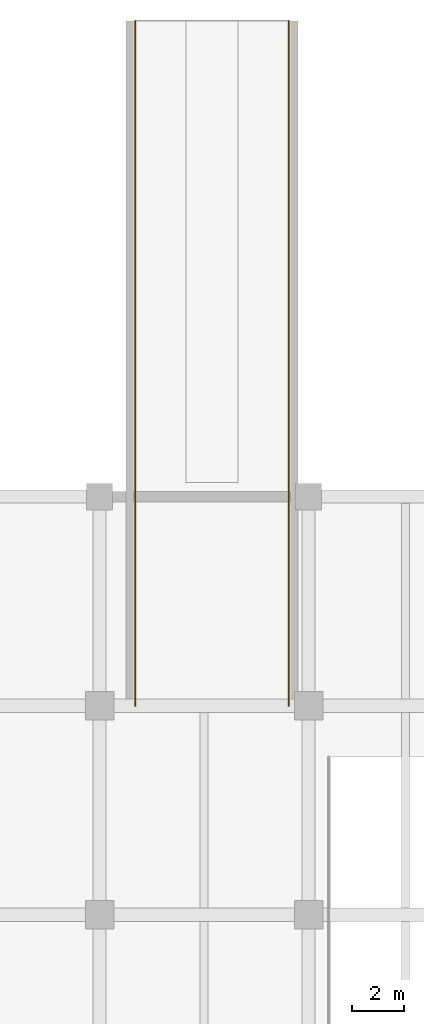
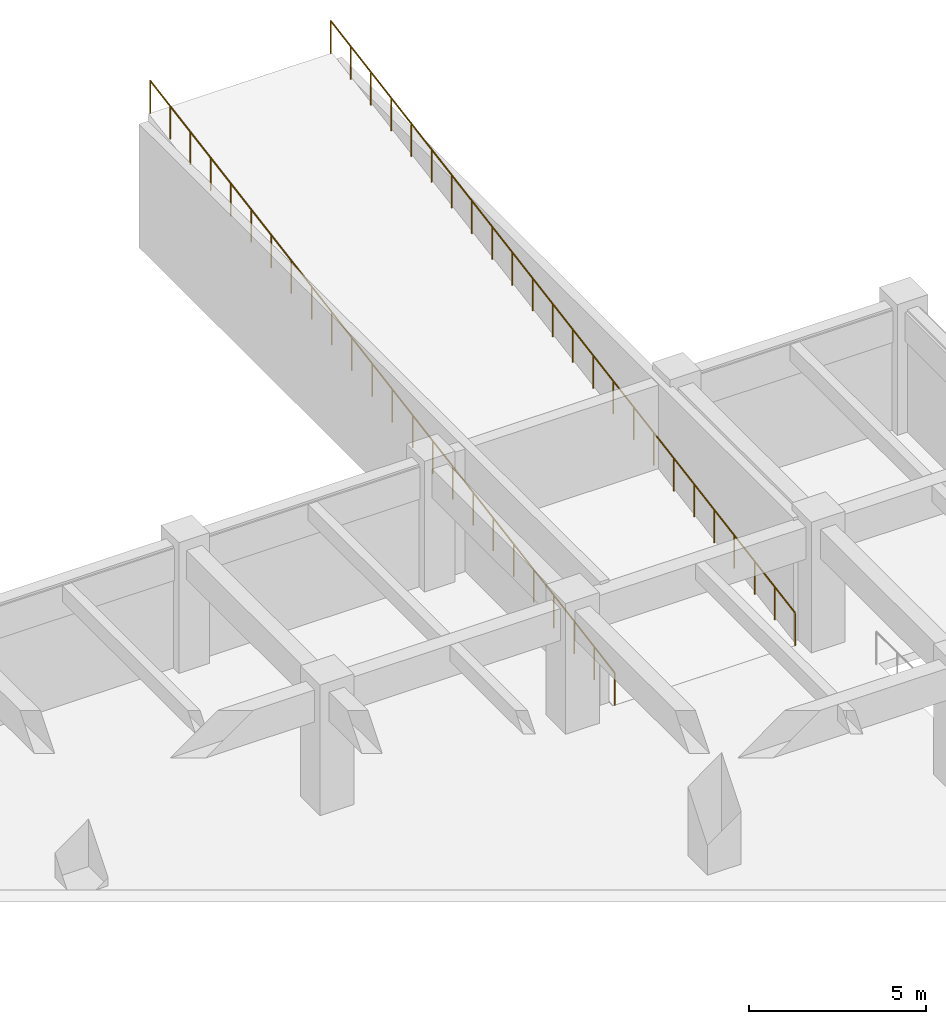
# One storey, part 16 of 16: 2 railings.
"""IFC4 building model written with IfcOpenShell, lengths in metres."""

from ifc_helpers import new_model, si_unit, direction, frame, origin, origin_2d, place, context, subcontext, project, spatial, circle, extrude, material, type_object, element, save


model = new_model("IFC4")

# Units and contexts
model_context = context("Model", 3, precision=1e-05, world=origin(), true_north=direction((0.0, 1.0)))
body_context = subcontext(model_context, "Body", "Model", "MODEL_VIEW")
ifc_project = project(units=[si_unit("LENGTHUNIT", "METRE"), si_unit("AREAUNIT", "SQUARE_METRE"), si_unit("VOLUMEUNIT", "CUBIC_METRE"), si_unit("PLANEANGLEUNIT", "RADIAN"), si_unit("MASSUNIT", "GRAM", prefix="KILO")], contexts=[model_context])

# Site, building, storey
site_placement = place(None, origin())
site = spatial("IfcSite", under=ifc_project, at=site_placement, CompositionType="ELEMENT")
building_placement = place(site_placement, origin())
building = spatial("IfcBuilding", under=site, at=building_placement, Name="Canggui Botanical Conservatory", CompositionType="ELEMENT")
storey_placement = place(building_placement, frame((0.0, 0.0, -4.5)))
storey = spatial("IfcBuildingStorey", under=building, at=storey_placement, Name="B1", CompositionType="ELEMENT", Elevation=-4.5)

# Railings
ifc_material = material(Name="Laminated Safety Glass", Category="glass")
railing_type = type_object("IfcRailingType", Name="RAIL-VOID-1150", PredefinedType="BALUSTRADE", material=ifc_material)
railing_1_placement = place(storey_placement, frame((163.360107421875, 98.0, 0.0)))
element("IfcRailing", 1, at=railing_1_placement, inside=storey, type_object=railing_type, Name="Vehicle Ramp VR-01 Sloping West Kerb Guard", PredefinedType="BALUSTRADE", context=body_context, shape_type="SweptSolid", body=[
    extrude(circle(Radius=0.02392578125, at=origin_2d()), frame((0.0, 0.0, 1.1259765625), z_axis=(0.0, 0.985568456285, 0.169277340411), x_axis=(-1.0, 0.0, 0.0)), (0.0, 0.0, 1.0), 26.58349609375),
    extrude(circle(Radius=0.02099609375, at=origin_2d()), origin(), (0.0, 0.0, 1.0), 1.101806640625),
    extrude(circle(Radius=0.02099609375, at=origin_2d()), frame((0.0, 1.13916015625, 0.195556640625)), (0.0, 0.0, 1.0), 1.101806640625),
    extrude(circle(Radius=0.02099609375, at=origin_2d()), frame((0.0, 2.2783203125, 0.391357421875)), (0.0, 0.0, 1.0), 1.101806640625),
    extrude(circle(Radius=0.02099609375, at=origin_2d()), frame((0.0, 3.41748046875, 0.5869140625)), (0.0, 0.0, 1.0), 1.101806640625),
    extrude(circle(Radius=0.02099609375, at=origin_2d()), frame((0.0, 4.556396484375, 0.78271484375)), (0.0, 0.0, 1.0), 1.101806640625),
    extrude(circle(Radius=0.02099609375, at=origin_2d()), frame((0.0, 5.695556640625, 0.978271484375)), (0.0, 0.0, 1.0), 1.101806640625),
    extrude(circle(Radius=0.02099609375, at=origin_2d()), frame((0.0, 6.834716796875, 1.173828125)), (0.0, 0.0, 1.0), 1.101806640625),
    extrude(circle(Radius=0.02099609375, at=origin_2d()), frame((0.0, 7.973876953125, 1.36962890625)), (0.0, 0.0, 1.0), 1.101806640625),
    extrude(circle(Radius=0.02099609375, at=origin_2d()), frame((0.0, 9.113037109375, 1.565185546875)), (0.0, 0.0, 1.0), 1.101806640625),
    extrude(circle(Radius=0.02099609375, at=origin_2d()), frame((0.0, 10.252197265625, 1.760986328125)), (0.0, 0.0, 1.0), 1.101806640625),
    extrude(circle(Radius=0.02099609375, at=origin_2d()), frame((0.0, 11.391357421875, 1.95654296875)), (0.0, 0.0, 1.0), 1.101806640625),
    extrude(circle(Radius=0.02099609375, at=origin_2d()), frame((0.0, 12.530517578125, 2.152099609375)), (0.0, 0.0, 1.0), 1.101806640625),
    extrude(circle(Radius=0.02099609375, at=origin_2d()), frame((0.0, 13.66943359375, 2.347900390625)), (0.0, 0.0, 1.0), 1.101806640625),
    extrude(circle(Radius=0.02099609375, at=origin_2d()), frame((0.0, 14.80859375, 2.54345703125)), (0.0, 0.0, 1.0), 1.101806640625),
    extrude(circle(Radius=0.02099609375, at=origin_2d()), frame((0.0, 15.94775390625, 2.739013671875)), (0.0, 0.0, 1.0), 1.101806640625),
    extrude(circle(Radius=0.02099609375, at=origin_2d()), frame((0.0, 17.0869140625, 2.934814453125)), (0.0, 0.0, 1.0), 1.101806640625),
    extrude(circle(Radius=0.02099609375, at=origin_2d()), frame((0.0, 18.22607421875, 3.13037109375)), (0.0, 0.0, 1.0), 1.101806640625),
    extrude(circle(Radius=0.02099609375, at=origin_2d()), frame((0.0, 19.365234375, 3.326171875)), (0.0, 0.0, 1.0), 1.101806640625),
    extrude(circle(Radius=0.02099609375, at=origin_2d()), frame((0.0, 20.50439453125, 3.521728515625)), (0.0, 0.0, 1.0), 1.101806640625),
    extrude(circle(Radius=0.02099609375, at=origin_2d()), frame((0.0, 21.6435546875, 3.71728515625)), (0.0, 0.0, 1.0), 1.101806640625),
    extrude(circle(Radius=0.02099609375, at=origin_2d()), frame((0.0, 22.782470703125, 3.9130859375)), (0.0, 0.0, 1.0), 1.101806640625),
    extrude(circle(Radius=0.02099609375, at=origin_2d()), frame((0.0, 23.921630859375, 4.108642578125)), (0.0, 0.0, 1.0), 1.101806640625),
    extrude(circle(Radius=0.02099609375, at=origin_2d()), frame((0.0, 25.060791015625, 4.304443359375)), (0.0, 0.0, 1.0), 1.101806640625),
    extrude(circle(Radius=0.02099609375, at=origin_2d()), frame((0.0, 26.199951171875, 4.5)), (0.0, 0.0, 1.0), 1.101806640625),
])
railing_2_placement = place(storey_placement, frame((169.239990234375, 98.0, 0.0)))
element("IfcRailing", 2, at=railing_2_placement, inside=storey, type_object=railing_type, Name="Vehicle Ramp VR-01 Sloping East Kerb Guard", PredefinedType="BALUSTRADE", context=body_context, shape_type="SweptSolid", body=[
    extrude(circle(Radius=0.02392578125, at=origin_2d()), frame((0.0, 0.0, 1.1259765625), z_axis=(0.0, 0.985568456285, 0.169277340411), x_axis=(-1.0, 0.0, 0.0)), (0.0, 0.0, 1.0), 26.58349609375),
    extrude(circle(Radius=0.02099609375, at=origin_2d()), origin(), (0.0, 0.0, 1.0), 1.101806640625),
    extrude(circle(Radius=0.02099609375, at=origin_2d()), frame((0.0, 1.13916015625, 0.195556640625)), (0.0, 0.0, 1.0), 1.101806640625),
    extrude(circle(Radius=0.02099609375, at=origin_2d()), frame((0.0, 2.2783203125, 0.391357421875)), (0.0, 0.0, 1.0), 1.101806640625),
    extrude(circle(Radius=0.02099609375, at=origin_2d()), frame((0.0, 3.41748046875, 0.5869140625)), (0.0, 0.0, 1.0), 1.101806640625),
    extrude(circle(Radius=0.02099609375, at=origin_2d()), frame((0.0, 4.556396484375, 0.78271484375)), (0.0, 0.0, 1.0), 1.101806640625),
    extrude(circle(Radius=0.02099609375, at=origin_2d()), frame((0.0, 5.695556640625, 0.978271484375)), (0.0, 0.0, 1.0), 1.101806640625),
    extrude(circle(Radius=0.02099609375, at=origin_2d()), frame((0.0, 6.834716796875, 1.173828125)), (0.0, 0.0, 1.0), 1.101806640625),
    extrude(circle(Radius=0.02099609375, at=origin_2d()), frame((0.0, 7.973876953125, 1.36962890625)), (0.0, 0.0, 1.0), 1.101806640625),
    extrude(circle(Radius=0.02099609375, at=origin_2d()), frame((0.0, 9.113037109375, 1.565185546875)), (0.0, 0.0, 1.0), 1.101806640625),
    extrude(circle(Radius=0.02099609375, at=origin_2d()), frame((0.0, 10.252197265625, 1.760986328125)), (0.0, 0.0, 1.0), 1.101806640625),
    extrude(circle(Radius=0.02099609375, at=origin_2d()), frame((0.0, 11.391357421875, 1.95654296875)), (0.0, 0.0, 1.0), 1.101806640625),
    extrude(circle(Radius=0.02099609375, at=origin_2d()), frame((0.0, 12.530517578125, 2.152099609375)), (0.0, 0.0, 1.0), 1.101806640625),
    extrude(circle(Radius=0.02099609375, at=origin_2d()), frame((0.0, 13.66943359375, 2.347900390625)), (0.0, 0.0, 1.0), 1.101806640625),
    extrude(circle(Radius=0.02099609375, at=origin_2d()), frame((0.0, 14.80859375, 2.54345703125)), (0.0, 0.0, 1.0), 1.101806640625),
    extrude(circle(Radius=0.02099609375, at=origin_2d()), frame((0.0, 15.94775390625, 2.739013671875)), (0.0, 0.0, 1.0), 1.101806640625),
    extrude(circle(Radius=0.02099609375, at=origin_2d()), frame((0.0, 17.0869140625, 2.934814453125)), (0.0, 0.0, 1.0), 1.101806640625),
    extrude(circle(Radius=0.02099609375, at=origin_2d()), frame((0.0, 18.22607421875, 3.13037109375)), (0.0, 0.0, 1.0), 1.101806640625),
    extrude(circle(Radius=0.02099609375, at=origin_2d()), frame((0.0, 19.365234375, 3.326171875)), (0.0, 0.0, 1.0), 1.101806640625),
    extrude(circle(Radius=0.02099609375, at=origin_2d()), frame((0.0, 20.50439453125, 3.521728515625)), (0.0, 0.0, 1.0), 1.101806640625),
    extrude(circle(Radius=0.02099609375, at=origin_2d()), frame((0.0, 21.6435546875, 3.71728515625)), (0.0, 0.0, 1.0), 1.101806640625),
    extrude(circle(Radius=0.02099609375, at=origin_2d()), frame((0.0, 22.782470703125, 3.9130859375)), (0.0, 0.0, 1.0), 1.101806640625),
    extrude(circle(Radius=0.02099609375, at=origin_2d()), frame((0.0, 23.921630859375, 4.108642578125)), (0.0, 0.0, 1.0), 1.101806640625),
    extrude(circle(Radius=0.02099609375, at=origin_2d()), frame((0.0, 25.060791015625, 4.304443359375)), (0.0, 0.0, 1.0), 1.101806640625),
    extrude(circle(Radius=0.02099609375, at=origin_2d()), frame((0.0, 26.199951171875, 4.5)), (0.0, 0.0, 1.0), 1.101806640625),
])

save(model, "model.ifc")
